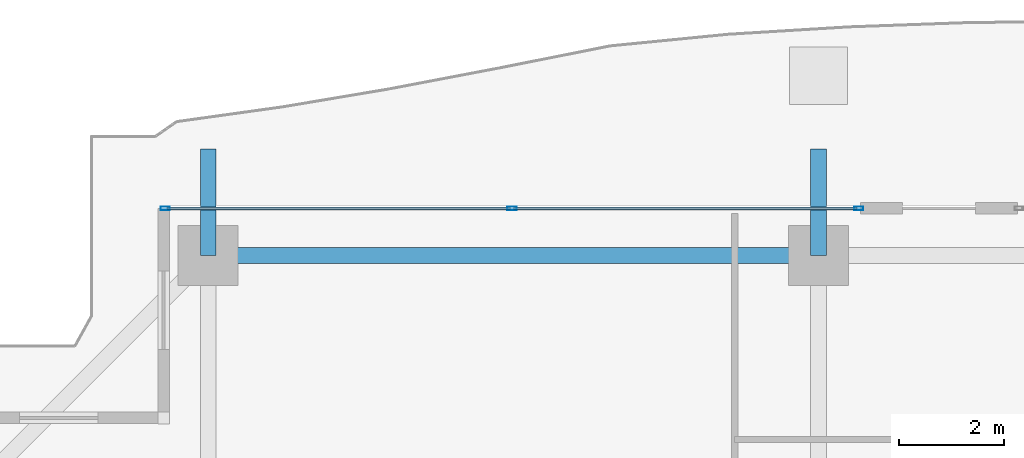
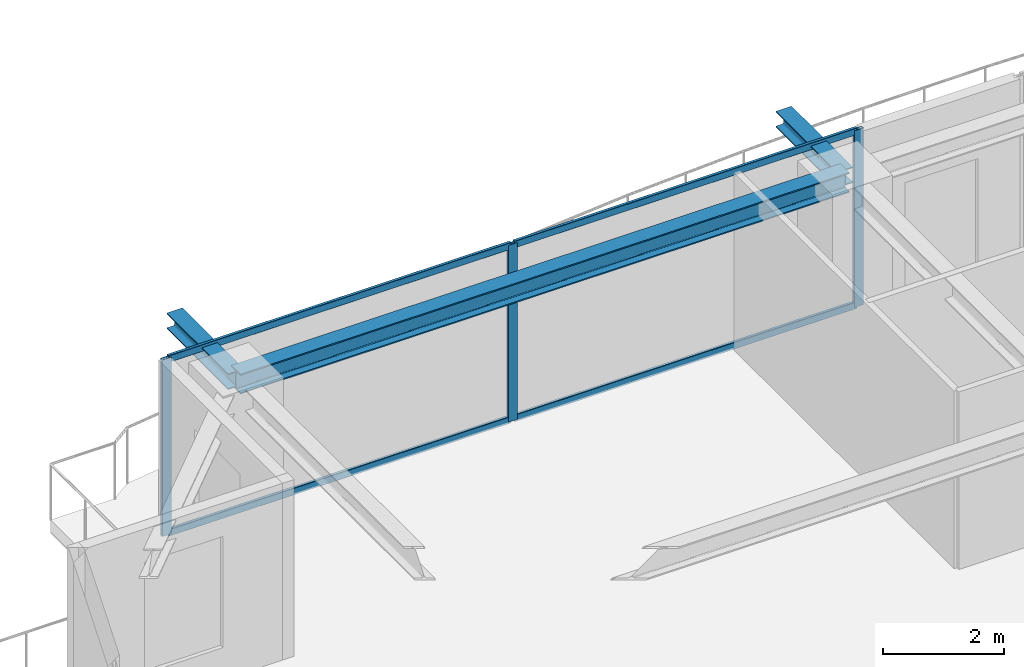
# One storey, part 21 of 38: 7 members, 3 beams, 1 element without a shape of its own.
"""IFC4 building model written with IfcOpenShell, lengths in metres."""

from ifc_helpers import new_model, si_unit, direction, frame, origin, origin_2d, place, context, subcontext, project, spatial, hollow_rectangle, i_section, extrude, source, transform, mapped, material, layer, layer_set, material_profile, profile_set, type_object, element, aggregate, save


model = new_model("IFC4")

# Units and contexts
model_context = context("Model", 3, precision=1e-05, world=origin(), true_north=direction((0.0, 1.0)))
body_context = subcontext(model_context, "Body", "Model", "MODEL_VIEW")
ifc_project = project(units=[si_unit("LENGTHUNIT", "METRE"), si_unit("AREAUNIT", "SQUARE_METRE"), si_unit("VOLUMEUNIT", "CUBIC_METRE"), si_unit("PLANEANGLEUNIT", "RADIAN"), si_unit("MASSUNIT", "GRAM", prefix="KILO")], contexts=[model_context])

# Site, building, storey
site_placement = place(None, origin())
site = spatial("IfcSite", under=ifc_project, at=site_placement, CompositionType="ELEMENT")
building_placement = place(site_placement, origin())
building = spatial("IfcBuilding", under=site, at=building_placement, Name="Serunith Strait Residences", CompositionType="ELEMENT")
storey_placement = place(building_placement, frame((0.0, 0.0, 268.199951171875)))
storey = spatial("IfcBuildingStorey", under=building, at=storey_placement, Name="L67", CompositionType="ELEMENT", Elevation=268.199951171875)

# Beams
ifc_material_1 = material(Name="Steel S355J2", Category="steel")
ifc_material_profile_1 = material_profile(ifc_material_1, i_section(OverallWidth=0.300048828125, OverallDepth=0.39990234375, WebThickness=0.013427734375, FlangeThickness=0.02392578125, FilletRadius=0.027099609375, at=origin_2d()), Name="HEB 400")
ifc_profile_set_1 = profile_set([ifc_material_profile_1], Name="Steel S355J2")
beam_type_1 = type_object("IfcBeamType", Name="BM-HEB400", PredefinedType="BEAM", material=ifc_profile_set_1)
shared_shape_1 = source(origin(), body_context, "Body", "SweptSolid", [
    extrude(i_section(OverallWidth=0.300048828125, OverallDepth=0.39990234375, WebThickness=0.013427734375, FlangeThickness=0.02392578125, FilletRadius=0.027099609375, at=origin_2d()), origin(), (0.0, 0.0, 1.0), 11.64990234375),
])
beam_placement = place(storey_placement, frame((27.89990234375, 48.300048828125, 3.386962890625), z_axis=(-1.0, 0.0, 0.0), x_axis=(0.0, -1.0, 0.0)))
element("IfcBeam", 1, at=beam_placement, inside=storey, type_object=beam_type_1, Name="L67 Perimeter Ring Beam 11", PredefinedType="BEAM", context=body_context, shape_type="MappedRepresentation", body=[
    mapped(shared_shape_1, transform((0.0, 0.0, 0.0), scale=1.0)),
])
ifc_material_profile_2 = material_profile(ifc_material_1, i_section(OverallWidth=0.300048828125, OverallDepth=0.320068359375, WebThickness=0.011474609375, FlangeThickness=0.0205078125, FilletRadius=0.027099609375, at=origin_2d()), Name="HEB 320")
ifc_profile_set_2 = profile_set([ifc_material_profile_2], Name="Steel S355J2")
beam_type_2 = type_object("IfcBeamType", Name="BM-HEB320", PredefinedType="BEAM", material=ifc_profile_set_2)
shared_shape_2 = source(origin(), body_context, "Body", "SweptSolid", [
    extrude(i_section(OverallWidth=0.300048828125, OverallDepth=0.320068359375, WebThickness=0.011474609375, FlangeThickness=0.0205078125, FilletRadius=0.027099609375, at=origin_2d()), origin(), (0.0, 0.0, 1.0), 2.030029296875),
])
for number, where, z_axis, x_axis, name in (
    (2, (16.25, 48.300048828125, 3.39697265625), (0.0, 1.0, 0.0), (-1.0, 0.0, 0.0), "L68 Cantilevered Balcony Rib TC-N1"),
    (3, (27.89990234375, 48.300048828125, 3.39697265625), (0.0, 1.0, 0.0), (-1.0, 0.0, 0.0), "L68 Cantilevered Balcony Rib TC-N2"),
):
    element("IfcBeam", number, at=place(storey_placement, frame(where, z_axis=z_axis, x_axis=x_axis)), inside=storey, type_object=beam_type_2, Name=name, PredefinedType="BEAM", context=body_context, shape_type="MappedRepresentation", body=[
        mapped(shared_shape_2, transform((0.0, 0.0, 0.0), scale=1.0)),
    ])

# Curtain wall, members
ifc_material_2 = material(Name="Pale-Champagne Anodised Aluminium", Category="aluminium")
ifc_layer = layer(ifc_material_2, 0.199951171875, Name="Pale-Champagne Anodised Aluminium")
ifc_layer_set = layer_set([ifc_layer], Name="Pale-Champagne Anodised Aluminium")
curtain_wall_type = type_object("IfcCurtainWallType", Name="CW-SYS4", PredefinedType="NOTDEFINED", material=ifc_layer_set)
curtain_wall_placement = place(storey_placement, origin())
curtain_wall = element("IfcCurtainWall", 4, at=curtain_wall_placement, inside=storey, type_object=curtain_wall_type, Name="L67 N Unitised Fritted Curtain Wall", PredefinedType="NOTDEFINED")
ifc_material_profile_3 = material_profile(ifc_material_2, hollow_rectangle(XDim=0.06494140625, YDim=0.179931640625, WallThickness=0.00341796875, InnerFilletRadius=0.00537109375, OuterFilletRadius=0.0087890625, at=origin_2d()), Name="ALU 180x65x3.5")
ifc_profile_set_3 = profile_set([ifc_material_profile_3], Name="Pale-Champagne Anodised Aluminium")
member_type_1 = type_object("IfcMemberType", Name="CW-SYS4-MULL", PredefinedType="MULLION", material=ifc_profile_set_3)
shared_shape_3 = source(origin(), body_context, "Body", "SweptSolid", [
    extrude(hollow_rectangle(XDim=0.06494140625, YDim=0.179931640625, WallThickness=0.00341796875, InnerFilletRadius=0.00537109375, OuterFilletRadius=0.0087890625, at=origin_2d()), origin(), (0.0, 0.0, 1.0), 3.574951171875),
])
member_1_placement = place(storey_placement, frame((28.66748046875, 49.199951171875, 0.0), z_axis=(0.0, 0.0, 1.0), x_axis=(0.0, -1.0, 0.0)))
member_1 = element("IfcMember", 5, at=member_1_placement, type_object=member_type_1, Name="CW-4 mullion 1", PredefinedType="MULLION", context=body_context, shape_type="MappedRepresentation", body=[
    mapped(shared_shape_3, transform((0.0, 0.0, 0.0), scale=1.0)),
])
member_2_placement = place(storey_placement, frame((22.050048828125, 49.199951171875, 0.0), z_axis=(0.0, 0.0, 1.0), x_axis=(0.0, -1.0, 0.0)))
member_2 = element("IfcMember", 6, at=member_2_placement, type_object=member_type_1, Name="CW-4 mullion 2", PredefinedType="MULLION", context=body_context, shape_type="MappedRepresentation", body=[
    mapped(shared_shape_3, transform((0.0, 0.0, 0.0), scale=1.0)),
])
member_3_placement = place(storey_placement, frame((15.4326171875, 49.199951171875, 0.0), z_axis=(0.0, 0.0, 1.0), x_axis=(0.0, -1.0, 0.0)))
member_3 = element("IfcMember", 7, at=member_3_placement, type_object=member_type_1, Name="CW-4 mullion 3", PredefinedType="MULLION", context=body_context, shape_type="MappedRepresentation", body=[
    mapped(shared_shape_3, transform((0.0, 0.0, 0.0), scale=1.0)),
])
ifc_material_profile_4 = material_profile(ifc_material_2, hollow_rectangle(XDim=0.06005859375, YDim=0.139892578125, WallThickness=0.00341796875, InnerFilletRadius=0.00537109375, OuterFilletRadius=0.0087890625, at=origin_2d()), Name="ALU 140x60x3.5")
ifc_profile_set_4 = profile_set([ifc_material_profile_4], Name="Pale-Champagne Anodised Aluminium")
member_type_2 = type_object("IfcMemberType", Name="CW-SYS4-TRAN", PredefinedType="USERDEFINED", material=ifc_profile_set_4)
shared_shape_4 = source(origin(), body_context, "Body", "SweptSolid", [
    extrude(hollow_rectangle(XDim=0.06005859375, YDim=0.139892578125, WallThickness=0.00341796875, InnerFilletRadius=0.00537109375, OuterFilletRadius=0.0087890625, at=origin_2d()), origin(), (0.0, 0.0, 1.0), 6.552490234375),
])
member_4_placement = place(storey_placement, frame((28.635009765625, 49.199951171875, 0.030029296875), z_axis=(-1.0, 0.0, 0.0), x_axis=(0.0, -1.0, 0.0)))
member_4 = element("IfcMember", 8, at=member_4_placement, type_object=member_type_2, Name="CW-4 transom 1.1", ObjectType="TRANSOM", PredefinedType="USERDEFINED", context=body_context, shape_type="MappedRepresentation", body=[
    mapped(shared_shape_4, transform((0.0, 0.0, 0.0), scale=1.0)),
])
member_5_placement = place(storey_placement, frame((28.635009765625, 49.199951171875, 3.545166015625), z_axis=(-1.0, 0.0, 0.0), x_axis=(0.0, -1.0, 0.0)))
member_5 = element("IfcMember", 9, at=member_5_placement, type_object=member_type_2, Name="CW-4 transom 1.2", ObjectType="TRANSOM", PredefinedType="USERDEFINED", context=body_context, shape_type="MappedRepresentation", body=[
    mapped(shared_shape_4, transform((0.0, 0.0, 0.0), scale=1.0)),
])
member_6_placement = place(storey_placement, frame((22.017578125, 49.199951171875, 0.030029296875), z_axis=(-1.0, 0.0, 0.0), x_axis=(0.0, -1.0, 0.0)))
member_6 = element("IfcMember", 10, at=member_6_placement, type_object=member_type_2, Name="CW-4 transom 2.1", ObjectType="TRANSOM", PredefinedType="USERDEFINED", context=body_context, shape_type="MappedRepresentation", body=[
    mapped(shared_shape_4, transform((0.0, 0.0, 0.0), scale=1.0)),
])
member_7_placement = place(storey_placement, frame((22.017578125, 49.199951171875, 3.545166015625), z_axis=(-1.0, 0.0, 0.0), x_axis=(0.0, -1.0, 0.0)))
member_7 = element("IfcMember", 11, at=member_7_placement, type_object=member_type_2, Name="CW-4 transom 2.2", ObjectType="TRANSOM", PredefinedType="USERDEFINED", context=body_context, shape_type="MappedRepresentation", body=[
    mapped(shared_shape_4, transform((0.0, 0.0, 0.0), scale=1.0)),
])
aggregate(curtain_wall, [member_1, member_2, member_3, member_4, member_5, member_6, member_7])

save(model, "model.ifc")
